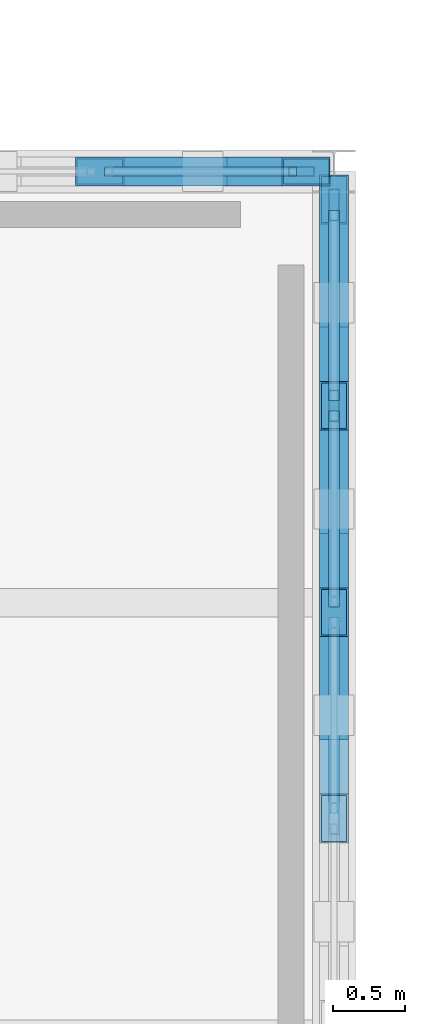
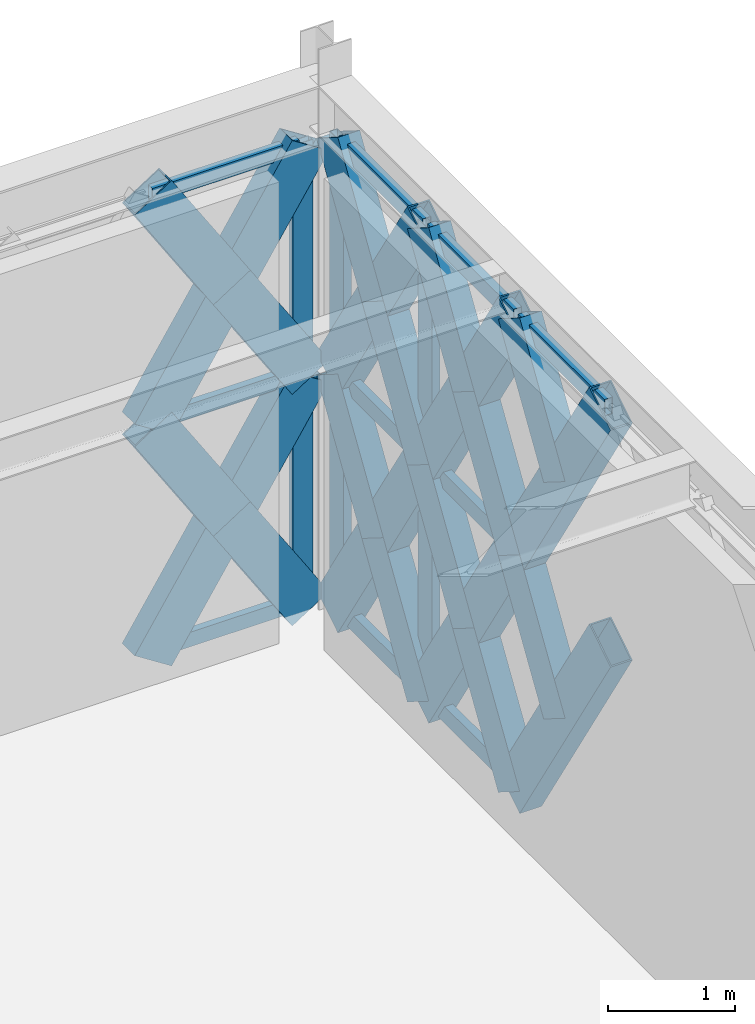
# One storey, part 114 of 155: 35 members, 2 elements without a shape of their own.
"""IFC4 building model written with IfcOpenShell, lengths in metres."""

from ifc_helpers import new_model, si_unit, direction, frame, origin, origin_2d, place, context, subcontext, project, spatial, hollow_rectangle, extrude, material, material_profile, profile_set, type_object, element, aggregate, save


model = new_model("IFC4")

# Units and contexts
model_context = context("Model", 3, precision=1e-05, world=origin(), true_north=direction((0.0, 1.0)))
body_context = subcontext(model_context, "Body", "Model", "MODEL_VIEW")
ifc_project = project(units=[si_unit("LENGTHUNIT", "METRE"), si_unit("AREAUNIT", "SQUARE_METRE"), si_unit("VOLUMEUNIT", "CUBIC_METRE"), si_unit("PLANEANGLEUNIT", "RADIAN"), si_unit("MASSUNIT", "GRAM", prefix="KILO")], contexts=[model_context])

# Site, building, storey
site_placement = place(None, origin())
site = spatial("IfcSite", under=ifc_project, at=site_placement, CompositionType="ELEMENT")
building_placement = place(site_placement, origin())
building = spatial("IfcBuilding", under=site, at=building_placement, Name="Haizhuo Lancet Aquarium", CompositionType="ELEMENT")
storey_placement = place(building_placement, frame((0.0, 0.0, 10.800048828125)))
storey = spatial("IfcBuildingStorey", under=building, at=storey_placement, Name="L02", CompositionType="ELEMENT", Elevation=10.800048828125)

# Curtain wall, member
ifc_material_1 = material(Name="Aluminium 6063-T6", Category="aluminium")
curtain_wall_type_1 = type_object("IfcCurtainWallType", Name="CWD-8610x4460", PredefinedType="NOTDEFINED", material=ifc_material_1)
curtain_wall_1_placement = place(storey_placement, origin())
curtain_wall_1 = element("IfcCurtainWall", 1, at=curtain_wall_1_placement, inside=storey, type_object=curtain_wall_type_1, Name="L02 curtain wall CW-V7-L02-298", PredefinedType="NOTDEFINED")
ifc_material_profile_1 = material_profile(ifc_material_1, hollow_rectangle(XDim=0.06494140625, YDim=0.179931640625, WallThickness=0.00390625, at=origin_2d()), Name="ALU-M 65x180x4")
ifc_profile_set_1 = profile_set([ifc_material_profile_1], Name="Aluminium 6063-T6")
member_type_1 = type_object("IfcMemberType", Name="CW-MUL-1", PredefinedType="MULLION", material=ifc_profile_set_1)
member_1_placement = place(storey_placement, frame((62.77294921875, 36.0, 0.0), z_axis=(0.0, 0.0, 1.0), x_axis=(0.0, 1.0, 0.0)))
member_1 = element("IfcMember", 2, at=member_1_placement, type_object=member_type_1, Name="CWD-86x44 mullion 7", PredefinedType="MULLION", context=body_context, shape_type="SweptSolid", body=[
    extrude(hollow_rectangle(XDim=0.06494140625, YDim=0.179931640625, WallThickness=0.00390625, at=origin_2d()), origin(), (0.0, 0.0, 1.0), 4.4619140625),
])

# Curtain wall, members
curtain_wall_type_2 = type_object("IfcCurtainWallType", Name="CWD-8610x4560", PredefinedType="NOTDEFINED", material=ifc_material_1)
curtain_wall_2_placement = place(storey_placement, origin())
curtain_wall_2 = element("IfcCurtainWall", 3, at=curtain_wall_2_placement, inside=storey, type_object=curtain_wall_type_2, Name="L02 curtain wall CW-V7-L02-299", PredefinedType="NOTDEFINED")
ifc_material_profile_2 = material_profile(ifc_material_1, hollow_rectangle(XDim=0.074951171875, YDim=0.219970703125, WallThickness=0.0048828125, at=origin_2d()), Name="ALU-M 75x220x5")
ifc_profile_set_2 = profile_set([ifc_material_profile_2], Name="Aluminium 6063-T6")
member_type_2 = type_object("IfcMemberType", Name="CW-MUL-2", PredefinedType="MULLION", material=ifc_profile_set_2)
member_2_placement = place(storey_placement, frame((63.0, 35.76708984375, 0.0), z_axis=(0.0, 0.0, 1.0), x_axis=(1.0, 0.0, 0.0)))
member_2 = element("IfcMember", 4, at=member_2_placement, type_object=member_type_2, Name="CWD-86x45 mullion 1", PredefinedType="MULLION", context=body_context, shape_type="SweptSolid", body=[
    extrude(hollow_rectangle(XDim=0.074951171875, YDim=0.219970703125, WallThickness=0.0048828125, at=origin_2d()), origin(), (0.0, 0.0, 1.0), 4.56201171875),
])
member_3_placement = place(storey_placement, frame((63.0, 34.3701171875, 0.0), z_axis=(0.0, 0.0, 1.0), x_axis=(1.0, 0.0, 0.0)))
member_3 = element("IfcMember", 5, at=member_3_placement, type_object=member_type_2, Name="CWD-86x45 mullion 2", PredefinedType="MULLION", context=body_context, shape_type="SweptSolid", body=[
    extrude(hollow_rectangle(XDim=0.074951171875, YDim=0.219970703125, WallThickness=0.0048828125, at=origin_2d()), origin(), (0.0, 0.0, 1.0), 4.56201171875),
])

# Member
ifc_material_profile_3 = material_profile(ifc_material_1, hollow_rectangle(XDim=0.06494140625, YDim=0.139892578125, WallThickness=0.00390625, at=origin_2d()), Name="ALU-T 65x140x4")
ifc_profile_set_3 = profile_set([ifc_material_profile_3], Name="Aluminium 6063-T6")
member_type_3 = type_object("IfcMemberType", Name="CW-TRN-1", PredefinedType="NOTDEFINED", material=ifc_profile_set_3)
member_4_placement = place(storey_placement, frame((61.402099609375, 36.0, 0.032958984375), z_axis=(1.0, 0.0, 0.0), x_axis=(0.0, 1.0, 0.0)))
member_4 = element("IfcMember", 6, at=member_4_placement, type_object=member_type_3, Name="CWD-86x44 transom 6.1", ObjectType="TRANSOM", PredefinedType="USERDEFINED", context=body_context, shape_type="SweptSolid", body=[
    extrude(hollow_rectangle(XDim=0.06494140625, YDim=0.139892578125, WallThickness=0.00390625, at=origin_2d()), origin(), (0.0, 0.0, 1.0), 1.337890625),
])

member_5_placement = place(storey_placement, frame((61.402099609375, 36.0, 2.23095703125), z_axis=(1.0, 0.0, 0.0), x_axis=(0.0, 1.0, 0.0)))
member_5 = element("IfcMember", 7, at=member_5_placement, type_object=member_type_3, Name="CWD-86x44 transom 6.2", ObjectType="TRANSOM", PredefinedType="USERDEFINED", context=body_context, shape_type="SweptSolid", body=[
    extrude(hollow_rectangle(XDim=0.06494140625, YDim=0.139892578125, WallThickness=0.00390625, at=origin_2d()), origin(), (0.0, 0.0, 1.0), 1.337890625),
])

member_6_placement = place(storey_placement, frame((61.402099609375, 36.0, 4.428955078125), z_axis=(1.0, 0.0, 0.0), x_axis=(0.0, 1.0, 0.0)))
member_6 = element("IfcMember", 8, at=member_6_placement, type_object=member_type_3, Name="CWD-86x44 transom 6.3", ObjectType="TRANSOM", PredefinedType="USERDEFINED", context=body_context, shape_type="SweptSolid", body=[
    extrude(hollow_rectangle(XDim=0.06494140625, YDim=0.139892578125, WallThickness=0.00390625, at=origin_2d()), origin(), (0.0, 0.0, 1.0), 1.337890625),
])

aggregate(curtain_wall_1, [member_1, member_4, member_5, member_6])

ifc_material_profile_4 = material_profile(ifc_material_1, hollow_rectangle(XDim=0.074951171875, YDim=0.159912109375, WallThickness=0.00390625, at=origin_2d()), Name="ALU-T 75x160x4")
ifc_profile_set_4 = profile_set([ifc_material_profile_4], Name="Aluminium 6063-T6")
member_type_4 = type_object("IfcMemberType", Name="CW-TRN-2", PredefinedType="NOTDEFINED", material=ifc_profile_set_4)
member_7_placement = place(storey_placement, frame((63.0, 35.72998046875, 0.037841796875), z_axis=(0.0, -1.0, 0.0), x_axis=(1.0, 0.0, 0.0)))
member_7 = element("IfcMember", 9, at=member_7_placement, type_object=member_type_4, Name="CWD-86x45 transom 1.1", ObjectType="TRANSOM", PredefinedType="USERDEFINED", context=body_context, shape_type="SweptSolid", body=[
    extrude(hollow_rectangle(XDim=0.074951171875, YDim=0.159912109375, WallThickness=0.00390625, at=origin_2d()), origin(), (0.0, 0.0, 1.0), 1.322998046875),
])

member_8_placement = place(storey_placement, frame((63.0, 35.72998046875, 2.281005859375), z_axis=(0.0, -1.0, 0.0), x_axis=(1.0, 0.0, 0.0)))
member_8 = element("IfcMember", 10, at=member_8_placement, type_object=member_type_4, Name="CWD-86x45 transom 1.2", ObjectType="TRANSOM", PredefinedType="USERDEFINED", context=body_context, shape_type="SweptSolid", body=[
    extrude(hollow_rectangle(XDim=0.074951171875, YDim=0.159912109375, WallThickness=0.00390625, at=origin_2d()), origin(), (0.0, 0.0, 1.0), 1.322998046875),
])

member_9_placement = place(storey_placement, frame((63.0, 35.72998046875, 4.52490234375), z_axis=(0.0, -1.0, 0.0), x_axis=(1.0, 0.0, 0.0)))
member_9 = element("IfcMember", 11, at=member_9_placement, type_object=member_type_4, Name="CWD-86x45 transom 1.3", ObjectType="TRANSOM", PredefinedType="USERDEFINED", context=body_context, shape_type="SweptSolid", body=[
    extrude(hollow_rectangle(XDim=0.074951171875, YDim=0.159912109375, WallThickness=0.00390625, at=origin_2d()), origin(), (0.0, 0.0, 1.0), 1.322998046875),
])

member_10_placement = place(storey_placement, frame((63.0, 34.3330078125, 0.037841796875), z_axis=(0.0, -1.0, 0.0), x_axis=(1.0, 0.0, 0.0)))
member_10 = element("IfcMember", 12, at=member_10_placement, type_object=member_type_4, Name="CWD-86x45 transom 2.1", ObjectType="TRANSOM", PredefinedType="USERDEFINED", context=body_context, shape_type="SweptSolid", body=[
    extrude(hollow_rectangle(XDim=0.074951171875, YDim=0.159912109375, WallThickness=0.00390625, at=origin_2d()), origin(), (0.0, 0.0, 1.0), 1.361083984375),
])

member_11_placement = place(storey_placement, frame((63.0, 34.3330078125, 2.281005859375), z_axis=(0.0, -1.0, 0.0), x_axis=(1.0, 0.0, 0.0)))
member_11 = element("IfcMember", 13, at=member_11_placement, type_object=member_type_4, Name="CWD-86x45 transom 2.2", ObjectType="TRANSOM", PredefinedType="USERDEFINED", context=body_context, shape_type="SweptSolid", body=[
    extrude(hollow_rectangle(XDim=0.074951171875, YDim=0.159912109375, WallThickness=0.00390625, at=origin_2d()), origin(), (0.0, 0.0, 1.0), 1.361083984375),
])

member_12_placement = place(storey_placement, frame((63.0, 34.3330078125, 4.52490234375), z_axis=(0.0, -1.0, 0.0), x_axis=(1.0, 0.0, 0.0)))
member_12 = element("IfcMember", 14, at=member_12_placement, type_object=member_type_4, Name="CWD-86x45 transom 2.3", ObjectType="TRANSOM", PredefinedType="USERDEFINED", context=body_context, shape_type="SweptSolid", body=[
    extrude(hollow_rectangle(XDim=0.074951171875, YDim=0.159912109375, WallThickness=0.00390625, at=origin_2d()), origin(), (0.0, 0.0, 1.0), 1.361083984375),
])

member_13_placement = place(storey_placement, frame((63.0, 32.89794921875, 4.52490234375), z_axis=(0.0, -1.0, 0.0), x_axis=(1.0, 0.0, 0.0)))
member_13 = element("IfcMember", 15, at=member_13_placement, type_object=member_type_4, Name="CWD-86x45 transom 3.3", ObjectType="TRANSOM", PredefinedType="USERDEFINED", context=body_context, shape_type="SweptSolid", body=[
    extrude(hollow_rectangle(XDim=0.074951171875, YDim=0.159912109375, WallThickness=0.00390625, at=origin_2d()), origin(), (0.0, 0.0, 1.0), 1.35986328125),
])

aggregate(curtain_wall_2, [member_2, member_3, member_7, member_8, member_9, member_10, member_11, member_12, member_13])

# Members
ifc_material_2 = material(Name="Steel S355", Category="steel")
ifc_material_profile_5 = material_profile(ifc_material_2, hollow_rectangle(XDim=0.199951171875, YDim=0.39990234375, WallThickness=0.011962890625, at=origin_2d()), Name="RHS 200x400x12")
ifc_profile_set_5 = profile_set([ifc_material_profile_5], Name="Steel S355")
member_type_5 = type_object("IfcMemberType", Name="MEM-LB-RHS200x400", PredefinedType="BRACE", material=ifc_profile_set_5)
member_14_placement = place(storey_placement, frame((61.3701171875, 36.0, 0.0), z_axis=(0.540925048726, 0.0, 0.841070800623), x_axis=(0.0, 1.0, 0.0)))
element("IfcMember", 16, at=member_14_placement, inside=storey, type_object=member_type_5, Name="Gothic lancet continuous diagonal brace CW-V7-L02-298 11A", PredefinedType="BRACE", context=body_context, shape_type="SweptSolid", body=[
    extrude(hollow_rectangle(XDim=0.199951171875, YDim=0.39990234375, WallThickness=0.011962890625, at=origin_2d()), origin(), (0.0, 0.0, 1.0), 2.652587890625),
])
member_15_placement = place(storey_placement, frame((62.804931640625, 36.0, 0.0), z_axis=(-0.541083001516, 0.0, 0.840969194127), x_axis=(0.0, -1.0, 0.0)))
element("IfcMember", 17, at=member_15_placement, inside=storey, type_object=member_type_5, Name="Gothic lancet split diagonal brace CW-V7-L02-298 11B1", PredefinedType="BRACE", context=body_context, shape_type="SweptSolid", body=[
    extrude(hollow_rectangle(XDim=0.199951171875, YDim=0.39990234375, WallThickness=0.011962890625, at=origin_2d()), origin(), (0.0, 0.0, 1.0), 1.326904296875),
])
member_16_placement = place(storey_placement, frame((62.0869140625, 36.0, 1.115966796875), z_axis=(-0.540766900265, 0.0, 0.841172490978), x_axis=(0.0, -1.0, 0.0)))
element("IfcMember", 18, at=member_16_placement, inside=storey, type_object=member_type_5, Name="Gothic lancet split diagonal brace CW-V7-L02-298 11B2", PredefinedType="BRACE", context=body_context, shape_type="SweptSolid", body=[
    extrude(hollow_rectangle(XDim=0.199951171875, YDim=0.39990234375, WallThickness=0.011962890625, at=origin_2d()), origin(), (0.0, 0.0, 1.0), 1.325439453125),
])
member_17_placement = place(storey_placement, frame((61.3701171875, 36.0, 2.23095703125), z_axis=(0.540925048726, 0.0, 0.841070800623), x_axis=(0.0, 1.0, 0.0)))
element("IfcMember", 19, at=member_17_placement, inside=storey, type_object=member_type_5, Name="Gothic lancet continuous diagonal brace CW-V7-L02-298 12A", PredefinedType="BRACE", context=body_context, shape_type="SweptSolid", body=[
    extrude(hollow_rectangle(XDim=0.199951171875, YDim=0.39990234375, WallThickness=0.011962890625, at=origin_2d()), origin(), (0.0, 0.0, 1.0), 2.652587890625),
])
member_18_placement = place(storey_placement, frame((62.804931640625, 36.0, 2.23095703125), z_axis=(-0.541418033285, 0.0, 0.840753538936), x_axis=(0.0, -1.0, 0.0)))
element("IfcMember", 20, at=member_18_placement, inside=storey, type_object=member_type_5, Name="Gothic lancet split diagonal brace CW-V7-L02-298 12B1", PredefinedType="BRACE", context=body_context, shape_type="SweptSolid", body=[
    extrude(hollow_rectangle(XDim=0.199951171875, YDim=0.39990234375, WallThickness=0.011962890625, at=origin_2d()), origin(), (0.0, 0.0, 1.0), 1.326171875),
])
member_19_placement = place(storey_placement, frame((62.0869140625, 36.0, 3.345947265625), z_axis=(-0.540431938152, 0.0, 0.841387734772), x_axis=(0.0, -1.0, 0.0)))
element("IfcMember", 21, at=member_19_placement, inside=storey, type_object=member_type_5, Name="Gothic lancet split diagonal brace CW-V7-L02-298 12B2", PredefinedType="BRACE", context=body_context, shape_type="SweptSolid", body=[
    extrude(hollow_rectangle(XDim=0.199951171875, YDim=0.39990234375, WallThickness=0.011962890625, at=origin_2d()), origin(), (0.0, 0.0, 1.0), 1.326416015625),
])
member_20_placement = place(storey_placement, frame((63.0, 35.804931640625, 0.0), z_axis=(0.0, -0.532447977761, 0.846462728641), x_axis=(1.0, 0.0, 0.0)))
element("IfcMember", 22, at=member_20_placement, inside=storey, type_object=member_type_5, Name="Gothic lancet continuous diagonal brace CW-V7-L02-299 1A", PredefinedType="BRACE", context=body_context, shape_type="SweptSolid", body=[
    extrude(hollow_rectangle(XDim=0.199951171875, YDim=0.39990234375, WallThickness=0.011962890625, at=origin_2d()), origin(), (0.0, 0.0, 1.0), 2.69482421875),
])
for number, where, z_axis, x_axis, name in (
    (23, (63.0, 34.3701171875, 0.0), (0.0, 0.532000831826, 0.846743830764), (-1.0, 0.0, 0.0), "Gothic lancet split diagonal brace CW-V7-L02-299 1B1"),
    (24, (63.0, 35.0869140625, 1.140869140625), (0.0, 0.532894965217, 0.846181396656), (-1.0, 0.0, 0.0), "Gothic lancet split diagonal brace CW-V7-L02-299 1B2"),
):
    element("IfcMember", number, at=place(storey_placement, frame(where, z_axis=z_axis, x_axis=x_axis)), inside=storey, type_object=member_type_5, Name=name, PredefinedType="BRACE", context=body_context, shape_type="SweptSolid", body=[
        extrude(hollow_rectangle(XDim=0.199951171875, YDim=0.39990234375, WallThickness=0.011962890625, at=origin_2d()), origin(), (0.0, 0.0, 1.0), 1.347412109375),
    ])
member_21_placement = place(storey_placement, frame((63.0, 35.804931640625, 2.281005859375), z_axis=(0.0, -0.532447977761, 0.846462728641), x_axis=(1.0, 0.0, 0.0)))
element("IfcMember", 25, at=member_21_placement, inside=storey, type_object=member_type_5, Name="Gothic lancet continuous diagonal brace CW-V7-L02-299 2A", PredefinedType="BRACE", context=body_context, shape_type="SweptSolid", body=[
    extrude(hollow_rectangle(XDim=0.199951171875, YDim=0.39990234375, WallThickness=0.011962890625, at=origin_2d()), origin(), (0.0, 0.0, 1.0), 2.69482421875),
])
member_22_placement = place(storey_placement, frame((63.0, 34.3701171875, 2.281005859375), z_axis=(0.0, 0.532327490763, 0.846538506258), x_axis=(-1.0, 0.0, 0.0)))
element("IfcMember", 26, at=member_22_placement, inside=storey, type_object=member_type_5, Name="Gothic lancet split diagonal brace CW-V7-L02-299 2B1", PredefinedType="BRACE", context=body_context, shape_type="SweptSolid", body=[
    extrude(hollow_rectangle(XDim=0.199951171875, YDim=0.39990234375, WallThickness=0.011962890625, at=origin_2d()), origin(), (0.0, 0.0, 1.0), 1.346435546875),
])
member_23_placement = place(storey_placement, frame((63.0, 35.0869140625, 3.4208984375), z_axis=(0.0, 0.532568303565, 0.846387028515), x_axis=(-1.0, 0.0, 0.0)))
element("IfcMember", 27, at=member_23_placement, inside=storey, type_object=member_type_5, Name="Gothic lancet split diagonal brace CW-V7-L02-299 2B2", PredefinedType="BRACE", context=body_context, shape_type="SweptSolid", body=[
    extrude(hollow_rectangle(XDim=0.199951171875, YDim=0.39990234375, WallThickness=0.011962890625, at=origin_2d()), origin(), (0.0, 0.0, 1.0), 1.34814453125),
])
member_24_placement = place(storey_placement, frame((63.0, 34.3701171875, 0.0), z_axis=(0.0, -0.532512886885, 0.846421895571), x_axis=(1.0, 0.0, 0.0)))
element("IfcMember", 28, at=member_24_placement, inside=storey, type_object=member_type_5, Name="Gothic lancet continuous diagonal brace CW-V7-L02-299 3A", PredefinedType="BRACE", context=body_context, shape_type="SweptSolid", body=[
    extrude(hollow_rectangle(XDim=0.199951171875, YDim=0.39990234375, WallThickness=0.011962890625, at=origin_2d()), origin(), (0.0, 0.0, 1.0), 2.69482421875),
])
member_25_placement = place(storey_placement, frame((63.0, 32.93505859375, 0.0), z_axis=(0.0, 0.532649938865, 0.846335656006), x_axis=(-1.0, 0.0, 0.0)))
element("IfcMember", 29, at=member_25_placement, inside=storey, type_object=member_type_5, Name="Gothic lancet split diagonal brace CW-V7-L02-299 3B1", PredefinedType="BRACE", context=body_context, shape_type="SweptSolid", body=[
    extrude(hollow_rectangle(XDim=0.199951171875, YDim=0.39990234375, WallThickness=0.011962890625, at=origin_2d()), origin(), (0.0, 0.0, 1.0), 1.347900390625),
])
member_26_placement = place(storey_placement, frame((63.0, 33.653076171875, 1.140869140625), z_axis=(0.0, 0.532375704926, 0.846508185905), x_axis=(-1.0, 0.0, 0.0)))
element("IfcMember", 30, at=member_26_placement, inside=storey, type_object=member_type_5, Name="Gothic lancet split diagonal brace CW-V7-L02-299 3B2", PredefinedType="BRACE", context=body_context, shape_type="SweptSolid", body=[
    extrude(hollow_rectangle(XDim=0.199951171875, YDim=0.39990234375, WallThickness=0.011962890625, at=origin_2d()), origin(), (0.0, 0.0, 1.0), 1.346923828125),
])
member_27_placement = place(storey_placement, frame((63.0, 34.3701171875, 2.281005859375), z_axis=(0.0, -0.532512886885, 0.846421895571), x_axis=(1.0, 0.0, 0.0)))
element("IfcMember", 31, at=member_27_placement, inside=storey, type_object=member_type_5, Name="Gothic lancet continuous diagonal brace CW-V7-L02-299 4A", PredefinedType="BRACE", context=body_context, shape_type="SweptSolid", body=[
    extrude(hollow_rectangle(XDim=0.199951171875, YDim=0.39990234375, WallThickness=0.011962890625, at=origin_2d()), origin(), (0.0, 0.0, 1.0), 2.69482421875),
])
member_28_placement = place(storey_placement, frame((63.0, 32.93505859375, 2.281005859375), z_axis=(0.0, 0.532976680835, 0.846129929554), x_axis=(-1.0, 0.0, 0.0)))
element("IfcMember", 32, at=member_28_placement, inside=storey, type_object=member_type_5, Name="Gothic lancet split diagonal brace CW-V7-L02-299 4B1", PredefinedType="BRACE", context=body_context, shape_type="SweptSolid", body=[
    extrude(hollow_rectangle(XDim=0.199951171875, YDim=0.39990234375, WallThickness=0.011962890625, at=origin_2d()), origin(), (0.0, 0.0, 1.0), 1.34716796875),
])
member_29_placement = place(storey_placement, frame((63.0, 33.653076171875, 3.4208984375), z_axis=(0.0, 0.532049109697, 0.846713496332), x_axis=(-1.0, 0.0, 0.0)))
element("IfcMember", 33, at=member_29_placement, inside=storey, type_object=member_type_5, Name="Gothic lancet split diagonal brace CW-V7-L02-299 4B2", PredefinedType="BRACE", context=body_context, shape_type="SweptSolid", body=[
    extrude(hollow_rectangle(XDim=0.199951171875, YDim=0.39990234375, WallThickness=0.011962890625, at=origin_2d()), origin(), (0.0, 0.0, 1.0), 1.34765625),
])
member_30_placement = place(storey_placement, frame((63.0, 32.93505859375, 0.0), z_axis=(0.0, -0.532512886885, 0.846421895571), x_axis=(1.0, 0.0, 0.0)))
element("IfcMember", 34, at=member_30_placement, inside=storey, type_object=member_type_5, Name="Gothic lancet continuous diagonal brace CW-V7-L02-299 5A", PredefinedType="BRACE", context=body_context, shape_type="SweptSolid", body=[
    extrude(hollow_rectangle(XDim=0.199951171875, YDim=0.39990234375, WallThickness=0.011962890625, at=origin_2d()), origin(), (0.0, 0.0, 1.0), 2.69482421875),
])
member_31_placement = place(storey_placement, frame((63.0, 32.218017578125, 1.140869140625), z_axis=(0.0, 0.532375704926, 0.846508185905), x_axis=(-1.0, 0.0, 0.0)))
element("IfcMember", 35, at=member_31_placement, inside=storey, type_object=member_type_5, Name="Gothic lancet split diagonal brace CW-V7-L02-299 5B2", PredefinedType="BRACE", context=body_context, shape_type="SweptSolid", body=[
    extrude(hollow_rectangle(XDim=0.199951171875, YDim=0.39990234375, WallThickness=0.011962890625, at=origin_2d()), origin(), (0.0, 0.0, 1.0), 1.346923828125),
])
member_32_placement = place(storey_placement, frame((63.0, 32.93505859375, 2.281005859375), z_axis=(0.0, -0.532512886885, 0.846421895571), x_axis=(1.0, 0.0, 0.0)))
element("IfcMember", 36, at=member_32_placement, inside=storey, type_object=member_type_5, Name="Gothic lancet continuous diagonal brace CW-V7-L02-299 6A", PredefinedType="BRACE", context=body_context, shape_type="SweptSolid", body=[
    extrude(hollow_rectangle(XDim=0.199951171875, YDim=0.39990234375, WallThickness=0.011962890625, at=origin_2d()), origin(), (0.0, 0.0, 1.0), 2.69482421875),
])
member_33_placement = place(storey_placement, frame((63.0, 32.218017578125, 3.4208984375), z_axis=(0.0, 0.532049109697, 0.846713496332), x_axis=(-1.0, 0.0, 0.0)))
element("IfcMember", 37, at=member_33_placement, inside=storey, type_object=member_type_5, Name="Gothic lancet split diagonal brace CW-V7-L02-299 6B2", PredefinedType="BRACE", context=body_context, shape_type="SweptSolid", body=[
    extrude(hollow_rectangle(XDim=0.199951171875, YDim=0.39990234375, WallThickness=0.011962890625, at=origin_2d()), origin(), (0.0, 0.0, 1.0), 1.34765625),
])

save(model, "model.ifc")
